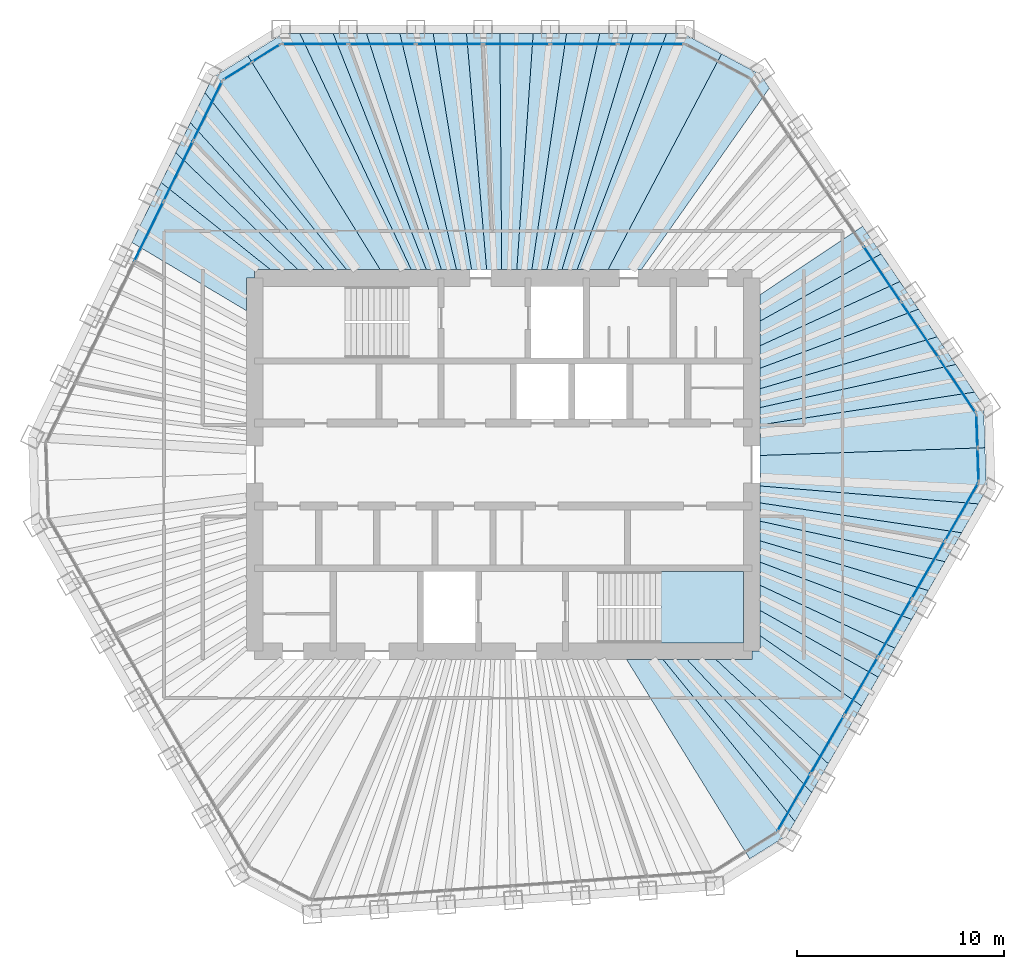
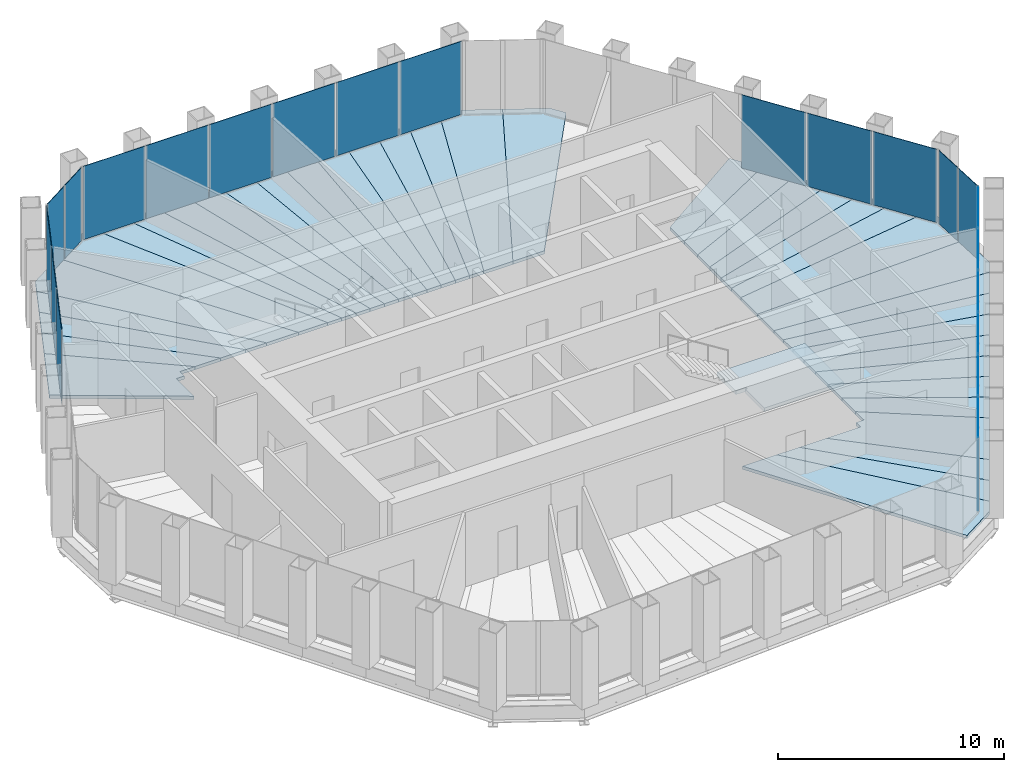
# One storey, part 10 of 14: 39 slabs, 22 plates, 7 elements without a shape of their own.
"""IFC4 building model written with IfcOpenShell, lengths in metres."""

from ifc_helpers import new_model, si_unit, direction, frame, origin, origin_2d, place, context, subcontext, project, spatial, polyline, rectangle, outline, extrude, material, layer, layer_set, type_object, element, aggregate, save


model = new_model("IFC4")

# Units and contexts
model_context = context("Model", 3, precision=1e-05, world=origin(), true_north=direction((0.0, 1.0)))
body_context = subcontext(model_context, "Body", "Model", "MODEL_VIEW")
ifc_project = project(units=[si_unit("LENGTHUNIT", "METRE"), si_unit("AREAUNIT", "SQUARE_METRE"), si_unit("VOLUMEUNIT", "CUBIC_METRE"), si_unit("PLANEANGLEUNIT", "RADIAN"), si_unit("MASSUNIT", "GRAM", prefix="KILO")], contexts=[model_context])

# Site, building, storey
site_placement = place(None, origin())
site = spatial("IfcSite", under=ifc_project, at=site_placement, CompositionType="ELEMENT")
building_placement = place(site_placement, origin())
building = spatial("IfcBuilding", under=site, at=building_placement, Name="Qingtian Harvest Tower", CompositionType="ELEMENT")
storey_placement = place(building_placement, frame((0.0, 0.0, 308.199951171875)))
storey = spatial("IfcBuildingStorey", under=building, at=storey_placement, Name="L68", CompositionType="ELEMENT", Elevation=308.199951171875)

# Slabs
ifc_material_1 = material(Name="Concrete fc' 35 MPa", Category="concrete")
ifc_layer_1 = layer(ifc_material_1, 0.169921875)
ifc_layer_set_1 = layer_set([ifc_layer_1], Name="Composite floor slab FS17 170")
slab_type_1 = type_object("IfcSlabType", Name="Composite floor slab FS17 170", PredefinedType="FLOOR", material=ifc_layer_set_1)
slab_1_placement = place(storey_placement, frame((0.0, 0.0, -0.169921875)))
element("IfcSlab", 1, at=slab_1_placement, inside=storey, type_object=slab_type_1, Name="Floor slab L68 panel D27", PredefinedType="FLOOR", context=body_context, shape_type="SweptSolid", body=[
    extrude(outline(polyline([(5.945556640625, -9.39990234375), (7.703125, -9.39990234375), (14.077880859375, -17.2265625), (13.6865234375, -17.904296875), (11.890380859375, -19.026611328125), (5.945556640625, -9.39990234375)])), origin(), (0.0, 0.0, 1.0), 0.169921875),
])
slab_2_placement = place(storey_placement, frame((0.0, 0.0, -0.169921875)))
element("IfcSlab", 2, at=slab_2_placement, inside=storey, type_object=slab_type_1, Name="Floor slab L68 panel D28", PredefinedType="FLOOR", context=body_context, shape_type="SweptSolid", body=[
    extrude(outline(polyline([(8.86279296875, -9.39990234375), (14.88232421875, -15.8330078125), (14.077880859375, -17.2265625), (7.703125, -9.39990234375), (8.86279296875, -9.39990234375)])), origin(), (0.0, 0.0, 1.0), 0.169921875),
])
slab_3_placement = place(storey_placement, frame((0.0, 0.0, -0.169921875)))
element("IfcSlab", 3, at=slab_3_placement, inside=storey, type_object=slab_type_1, Name="Floor slab L68 panel D29", PredefinedType="FLOOR", context=body_context, shape_type="SweptSolid", body=[
    extrude(outline(polyline([(10.248046875, -9.39990234375), (15.68701171875, -14.439453125), (14.88232421875, -15.8330078125), (8.86279296875, -9.39990234375), (10.248046875, -9.39990234375)])), origin(), (0.0, 0.0, 1.0), 0.169921875),
])
slab_4_placement = place(storey_placement, frame((0.0, 0.0, -0.169921875)))
element("IfcSlab", 4, at=slab_4_placement, inside=storey, type_object=slab_type_1, Name="Floor slab L68 panel D31", PredefinedType="FLOOR", context=body_context, shape_type="SweptSolid", body=[
    extrude(outline(polyline([(12.39990234375, -8.263427734375), (17.296630859375, -11.651123046875), (15.68701171875, -14.439453125), (10.248046875, -9.39990234375), (12.0, -9.39990234375), (12.0, -9.0), (12.39990234375, -9.0), (12.39990234375, -8.263427734375)])), origin(), (0.0, 0.0, 1.0), 0.169921875),
])
slab_5_placement = place(storey_placement, frame((0.0, 0.0, -0.169921875)))
element("IfcSlab", 5, at=slab_5_placement, inside=storey, type_object=slab_type_1, Name="Floor slab L68 panel D32", PredefinedType="FLOOR", context=body_context, shape_type="SweptSolid", body=[
    extrude(outline(polyline([(12.39990234375, -7.04296875), (18.099853515625, -10.26025390625), (17.296630859375, -11.651123046875), (12.39990234375, -8.263427734375), (12.39990234375, -7.04296875)])), origin(), (0.0, 0.0, 1.0), 0.169921875),
])
slab_6_placement = place(storey_placement, frame((0.0, 0.0, -0.169921875)))
element("IfcSlab", 6, at=slab_6_placement, inside=storey, type_object=slab_type_1, Name="Floor slab L68 panel D33", PredefinedType="FLOOR", context=body_context, shape_type="SweptSolid", body=[
    extrude(outline(polyline([(12.39990234375, -5.828125), (18.904296875, -8.86669921875), (18.099853515625, -10.26025390625), (12.39990234375, -7.04296875), (12.39990234375, -5.828125)])), origin(), (0.0, 0.0, 1.0), 0.169921875),
])
slab_7_placement = place(storey_placement, frame((0.0, 0.0, -0.169921875)))
element("IfcSlab", 7, at=slab_7_placement, inside=storey, type_object=slab_type_1, Name="Floor slab L68 panel D34", PredefinedType="FLOOR", context=body_context, shape_type="SweptSolid", body=[
    extrude(outline(polyline([(12.39990234375, -4.712646484375), (19.708740234375, -7.473388671875), (18.904296875, -8.86669921875), (12.39990234375, -5.828125), (12.39990234375, -4.712646484375)])), origin(), (0.0, 0.0, 1.0), 0.169921875),
])
slab_8_placement = place(storey_placement, frame((0.0, 0.0, -0.169921875)))
element("IfcSlab", 8, at=slab_8_placement, inside=storey, type_object=slab_type_1, Name="Floor slab L68 panel D35", PredefinedType="FLOOR", context=body_context, shape_type="SweptSolid", body=[
    extrude(outline(polyline([(12.39990234375, -3.684814453125), (20.51318359375, -6.080078125), (19.708740234375, -7.473388671875), (12.39990234375, -4.712646484375), (12.39990234375, -3.684814453125)])), origin(), (0.0, 0.0, 1.0), 0.169921875),
])
slab_9_placement = place(storey_placement, frame((0.0, 0.0, -0.169921875)))
element("IfcSlab", 9, at=slab_9_placement, inside=storey, type_object=slab_type_1, Name="Floor slab L68 panel D36", PredefinedType="FLOOR", context=body_context, shape_type="SweptSolid", body=[
    extrude(outline(polyline([(12.39990234375, -2.734619140625), (21.317626953125, -4.6865234375), (20.51318359375, -6.080078125), (12.39990234375, -3.684814453125), (12.39990234375, -2.734619140625)])), origin(), (0.0, 0.0, 1.0), 0.169921875),
])
slab_10_placement = place(storey_placement, frame((0.0, 0.0, -0.169921875)))
element("IfcSlab", 10, at=slab_10_placement, inside=storey, type_object=slab_type_1, Name="Floor slab L68 panel D37", PredefinedType="FLOOR", context=body_context, shape_type="SweptSolid", body=[
    extrude(outline(polyline([(12.39990234375, -1.853515625), (22.122314453125, -3.293212890625), (21.317626953125, -4.6865234375), (12.39990234375, -2.734619140625), (12.39990234375, -1.853515625)])), origin(), (0.0, 0.0, 1.0), 0.169921875),
])
slab_11_placement = place(storey_placement, frame((0.0, 0.0, -0.169921875)))
element("IfcSlab", 11, at=slab_11_placement, inside=storey, type_object=slab_type_1, Name="Floor slab L68 panel D38", PredefinedType="FLOOR", context=body_context, shape_type="SweptSolid", body=[
    extrude(outline(polyline([(12.39990234375, -1.034423828125), (22.9267578125, -1.89990234375), (22.122314453125, -3.293212890625), (12.39990234375, -1.853515625), (12.39990234375, -1.034423828125)])), origin(), (0.0, 0.0, 1.0), 0.169921875),
])
slab_12_placement = place(storey_placement, frame((0.0, 0.0, -0.169921875)))
element("IfcSlab", 12, at=slab_12_placement, inside=storey, type_object=slab_type_1, Name="Floor slab L68 panel D39", PredefinedType="FLOOR", context=body_context, shape_type="SweptSolid", body=[
    extrude(outline(polyline([(12.39990234375, -1.034423828125), (12.39990234375, 0.436279296875), (23.246826171875, 0.811767578125), (23.31787109375, -1.22216796875), (22.9267578125, -1.89990234375), (12.39990234375, -1.034423828125)])), origin(), (0.0, 0.0, 1.0), 0.169921875),
])
slab_13_placement = place(storey_placement, frame((0.0, 0.0, -0.169921875)))
element("IfcSlab", 13, at=slab_13_placement, inside=storey, type_object=slab_type_1, Name="Floor slab L68 panel D40", PredefinedType="FLOOR", context=body_context, shape_type="SweptSolid", body=[
    extrude(outline(polyline([(12.39990234375, 0.436279296875), (12.39990234375, 1.91357421875), (22.73828125, 3.494384765625), (23.17578125, 2.845947265625), (23.246826171875, 0.811767578125), (12.39990234375, 0.436279296875)])), origin(), (0.0, 0.0, 1.0), 0.169921875),
])
slab_14_placement = place(storey_placement, frame((0.0, 0.0, -0.169921875)))
element("IfcSlab", 14, at=slab_14_placement, inside=storey, type_object=slab_type_1, Name="Floor slab L68 panel D41", PredefinedType="FLOOR", context=body_context, shape_type="SweptSolid", body=[
    extrude(outline(polyline([(12.39990234375, 2.75048828125), (21.838623046875, 4.828369140625), (22.73828125, 3.494384765625), (12.39990234375, 1.91357421875), (12.39990234375, 2.75048828125)])), origin(), (0.0, 0.0, 1.0), 0.169921875),
])
slab_15_placement = place(storey_placement, frame((0.0, 0.0, -0.169921875)))
element("IfcSlab", 15, at=slab_15_placement, inside=storey, type_object=slab_type_1, Name="Floor slab L68 panel D42", PredefinedType="FLOOR", context=body_context, shape_type="SweptSolid", body=[
    extrude(outline(polyline([(12.39990234375, 3.659423828125), (20.93896484375, 6.162353515625), (21.838623046875, 4.828369140625), (12.39990234375, 2.75048828125), (12.39990234375, 3.659423828125)])), origin(), (0.0, 0.0, 1.0), 0.169921875),
])
slab_16_placement = place(storey_placement, frame((0.0, 0.0, -0.169921875)))
element("IfcSlab", 16, at=slab_16_placement, inside=storey, type_object=slab_type_1, Name="Floor slab L68 panel D43", PredefinedType="FLOOR", context=body_context, shape_type="SweptSolid", body=[
    extrude(outline(polyline([(12.39990234375, 4.64990234375), (20.0390625, 7.49609375), (20.93896484375, 6.162353515625), (12.39990234375, 3.659423828125), (12.39990234375, 4.64990234375)])), origin(), (0.0, 0.0, 1.0), 0.169921875),
])
slab_17_placement = place(storey_placement, frame((0.0, 0.0, -0.169921875)))
element("IfcSlab", 17, at=slab_17_placement, inside=storey, type_object=slab_type_1, Name="Floor slab L68 panel D44", PredefinedType="FLOOR", context=body_context, shape_type="SweptSolid", body=[
    extrude(outline(polyline([(12.39990234375, 5.73388671875), (19.139404296875, 8.830078125), (20.0390625, 7.49609375), (12.39990234375, 4.64990234375), (12.39990234375, 5.73388671875)])), origin(), (0.0, 0.0, 1.0), 0.169921875),
])
slab_18_placement = place(storey_placement, frame((0.0, 0.0, -0.169921875)))
element("IfcSlab", 18, at=slab_18_placement, inside=storey, type_object=slab_type_1, Name="Floor slab L68 panel D45", PredefinedType="FLOOR", context=body_context, shape_type="SweptSolid", body=[
    extrude(outline(polyline([(12.39990234375, 6.925048828125), (18.23974609375, 10.1640625), (19.139404296875, 8.830078125), (12.39990234375, 5.73388671875), (12.39990234375, 6.925048828125)])), origin(), (0.0, 0.0, 1.0), 0.169921875),
])
slab_19_placement = place(storey_placement, frame((0.0, 0.0, -0.169921875)))
element("IfcSlab", 19, at=slab_19_placement, inside=storey, type_object=slab_type_1, Name="Floor slab L68 panel D46", PredefinedType="FLOOR", context=body_context, shape_type="SweptSolid", body=[
    extrude(outline(polyline([(12.39990234375, 8.199462890625), (17.340576171875, 11.4970703125), (18.23974609375, 10.1640625), (12.39990234375, 6.925048828125), (12.39990234375, 8.199462890625)])), origin(), (0.0, 0.0, 1.0), 0.169921875),
])
slab_20_placement = place(storey_placement, frame((0.0, 0.0, -0.169921875)))
element("IfcSlab", 20, at=slab_20_placement, inside=storey, type_object=slab_type_1, Name="Floor slab L68 panel D52", PredefinedType="FLOOR", context=body_context, shape_type="SweptSolid", body=[
    extrude(outline(polyline([(6.662109375, 9.39990234375), (5.05419921875, 9.39990234375), (10.533935546875, 19.809814453125), (12.404296875, 18.8154296875), (12.841796875, 18.16650390625), (6.662109375, 9.39990234375)])), origin(), (0.0, 0.0, 1.0), 0.169921875),
])
slab_21_placement = place(storey_placement, frame((0.0, 0.0, -0.169921875)))
element("IfcSlab", 21, at=slab_21_placement, inside=storey, type_object=slab_type_1, Name="Floor slab L68 panel D53", PredefinedType="FLOOR", context=body_context, shape_type="SweptSolid", body=[
    extrude(outline(polyline([(3.560302734375, 9.39990234375), (7.880126953125, 20.804931640625), (8.662109375, 20.804931640625), (10.533935546875, 19.809814453125), (5.05419921875, 9.39990234375), (3.560302734375, 9.39990234375)])), origin(), (0.0, 0.0, 1.0), 0.169921875),
])
slab_22_placement = place(storey_placement, frame((0.0, 0.0, -0.169921875)))
element("IfcSlab", 22, at=slab_22_placement, inside=storey, type_object=slab_type_1, Name="Floor slab L68 panel D54", PredefinedType="FLOOR", context=body_context, shape_type="SweptSolid", body=[
    extrude(outline(polyline([(2.833251953125, 9.39990234375), (6.27099609375, 20.804931640625), (7.880126953125, 20.804931640625), (3.560302734375, 9.39990234375), (2.833251953125, 9.39990234375)])), origin(), (0.0, 0.0, 1.0), 0.169921875),
])
slab_23_placement = place(storey_placement, frame((0.0, 0.0, -0.169921875)))
element("IfcSlab", 23, at=slab_23_placement, inside=storey, type_object=slab_type_1, Name="Floor slab L68 panel D55", PredefinedType="FLOOR", context=body_context, shape_type="SweptSolid", body=[
    extrude(outline(polyline([(2.1064453125, 9.39990234375), (4.662109375, 20.804931640625), (6.27099609375, 20.804931640625), (2.833251953125, 9.39990234375), (2.1064453125, 9.39990234375)])), origin(), (0.0, 0.0, 1.0), 0.169921875),
])
slab_24_placement = place(storey_placement, frame((0.0, 0.0, -0.169921875)))
element("IfcSlab", 24, at=slab_24_placement, inside=storey, type_object=slab_type_1, Name="Floor slab L68 panel D56", PredefinedType="FLOOR", context=body_context, shape_type="SweptSolid", body=[
    extrude(outline(polyline([(1.37939453125, 9.39990234375), (3.05322265625, 20.804931640625), (4.662109375, 20.804931640625), (2.1064453125, 9.39990234375), (1.37939453125, 9.39990234375)])), origin(), (0.0, 0.0, 1.0), 0.169921875),
])
slab_25_placement = place(storey_placement, frame((0.0, 0.0, -0.169921875)))
element("IfcSlab", 25, at=slab_25_placement, inside=storey, type_object=slab_type_1, Name="Floor slab L68 panel D57", PredefinedType="FLOOR", context=body_context, shape_type="SweptSolid", body=[
    extrude(outline(polyline([(0.652587890625, 9.39990234375), (1.4443359375, 20.804931640625), (3.05322265625, 20.804931640625), (1.37939453125, 9.39990234375), (0.652587890625, 9.39990234375)])), origin(), (0.0, 0.0, 1.0), 0.169921875),
])
slab_26_placement = place(storey_placement, frame((0.0, 0.0, -0.169921875)))
element("IfcSlab", 26, at=slab_26_placement, inside=storey, type_object=slab_type_1, Name="Floor slab L68 panel D58", PredefinedType="FLOOR", context=body_context, shape_type="SweptSolid", body=[
    extrude(outline(polyline([(-0.074462890625, 9.39990234375), (-0.16455078125, 20.804931640625), (1.4443359375, 20.804931640625), (0.652587890625, 9.39990234375), (-0.074462890625, 9.39990234375)])), origin(), (0.0, 0.0, 1.0), 0.169921875),
])
slab_27_placement = place(storey_placement, frame((0.0, 0.0, -0.169921875)))
element("IfcSlab", 27, at=slab_27_placement, inside=storey, type_object=slab_type_1, Name="Floor slab L68 panel D59", PredefinedType="FLOOR", context=body_context, shape_type="SweptSolid", body=[
    extrude(outline(polyline([(-0.80126953125, 9.39990234375), (-1.773681640625, 20.804931640625), (-0.16455078125, 20.804931640625), (-0.074462890625, 9.39990234375), (-0.80126953125, 9.39990234375)])), origin(), (0.0, 0.0, 1.0), 0.169921875),
])
slab_28_placement = place(storey_placement, frame((0.0, 0.0, -0.169921875)))
element("IfcSlab", 28, at=slab_28_placement, inside=storey, type_object=slab_type_1, Name="Floor slab L68 panel D60", PredefinedType="FLOOR", context=body_context, shape_type="SweptSolid", body=[
    extrude(outline(polyline([(-1.5283203125, 9.39990234375), (-3.382568359375, 20.804931640625), (-1.773681640625, 20.804931640625), (-0.80126953125, 9.39990234375), (-1.5283203125, 9.39990234375)])), origin(), (0.0, 0.0, 1.0), 0.169921875),
])
slab_29_placement = place(storey_placement, frame((0.0, 0.0, -0.169921875)))
element("IfcSlab", 29, at=slab_29_placement, inside=storey, type_object=slab_type_1, Name="Floor slab L68 panel D61", PredefinedType="FLOOR", context=body_context, shape_type="SweptSolid", body=[
    extrude(outline(polyline([(-2.255126953125, 9.39990234375), (-4.991455078125, 20.804931640625), (-3.382568359375, 20.804931640625), (-1.5283203125, 9.39990234375), (-2.255126953125, 9.39990234375)])), origin(), (0.0, 0.0, 1.0), 0.169921875),
])
slab_30_placement = place(storey_placement, frame((0.0, 0.0, -0.169921875)))
element("IfcSlab", 30, at=slab_30_placement, inside=storey, type_object=slab_type_1, Name="Floor slab L68 panel D62", PredefinedType="FLOOR", context=body_context, shape_type="SweptSolid", body=[
    extrude(outline(polyline([(-2.982177734375, 9.39990234375), (-6.600341796875, 20.804931640625), (-4.991455078125, 20.804931640625), (-2.255126953125, 9.39990234375), (-2.982177734375, 9.39990234375)])), origin(), (0.0, 0.0, 1.0), 0.169921875),
])
slab_31_placement = place(storey_placement, frame((0.0, 0.0, -0.169921875)))
element("IfcSlab", 31, at=slab_31_placement, inside=storey, type_object=slab_type_1, Name="Floor slab L68 panel D63", PredefinedType="FLOOR", context=body_context, shape_type="SweptSolid", body=[
    extrude(outline(polyline([(-3.708984375, 9.39990234375), (-8.209228515625, 20.804931640625), (-6.600341796875, 20.804931640625), (-2.982177734375, 9.39990234375), (-3.708984375, 9.39990234375)])), origin(), (0.0, 0.0, 1.0), 0.169921875),
])
slab_32_placement = place(storey_placement, frame((0.0, 0.0, -0.169921875)))
element("IfcSlab", 32, at=slab_32_placement, inside=storey, type_object=slab_type_1, Name="Floor slab L68 panel D64", PredefinedType="FLOOR", context=body_context, shape_type="SweptSolid", body=[
    extrude(outline(polyline([(-4.43603515625, 9.39990234375), (-9.818115234375, 20.804931640625), (-8.209228515625, 20.804931640625), (-3.708984375, 9.39990234375), (-4.43603515625, 9.39990234375)])), origin(), (0.0, 0.0, 1.0), 0.169921875),
])
slab_33_placement = place(storey_placement, frame((0.0, 0.0, -0.169921875)))
element("IfcSlab", 33, at=slab_33_placement, inside=storey, type_object=slab_type_1, Name="Floor slab L68 panel D65", PredefinedType="FLOOR", context=body_context, shape_type="SweptSolid", body=[
    extrude(outline(polyline([(-4.43603515625, 9.39990234375), (-5.935302734375, 9.39990234375), (-12.327392578125, 19.725830078125), (-10.600341796875, 20.804931640625), (-9.818115234375, 20.804931640625), (-4.43603515625, 9.39990234375)])), origin(), (0.0, 0.0, 1.0), 0.169921875),
])
slab_34_placement = place(storey_placement, frame((0.0, 0.0, -0.169921875)))
element("IfcSlab", 34, at=slab_34_placement, inside=storey, type_object=slab_type_1, Name="Floor slab L68 panel D66", PredefinedType="FLOOR", context=body_context, shape_type="SweptSolid", body=[
    extrude(outline(polyline([(-5.935302734375, 9.39990234375), (-7.560302734375, 9.39990234375), (-14.3955078125, 17.944580078125), (-14.052490234375, 18.64794921875), (-12.327392578125, 19.725830078125), (-5.935302734375, 9.39990234375)])), origin(), (0.0, 0.0, 1.0), 0.169921875),
])
slab_35_placement = place(storey_placement, frame((0.0, 0.0, -0.169921875)))
element("IfcSlab", 35, at=slab_35_placement, inside=storey, type_object=slab_type_1, Name="Floor slab L68 panel D67", PredefinedType="FLOOR", context=body_context, shape_type="SweptSolid", body=[
    extrude(outline(polyline([(-8.62890625, 9.39990234375), (-15.100830078125, 16.498291015625), (-14.3955078125, 17.944580078125), (-7.560302734375, 9.39990234375), (-8.62890625, 9.39990234375)])), origin(), (0.0, 0.0, 1.0), 0.169921875),
])
slab_36_placement = place(storey_placement, frame((0.0, 0.0, -0.169921875)))
element("IfcSlab", 36, at=slab_36_placement, inside=storey, type_object=slab_type_1, Name="Floor slab L68 panel D68", PredefinedType="FLOOR", context=body_context, shape_type="SweptSolid", body=[
    extrude(outline(polyline([(-9.90380859375, 9.39990234375), (-15.80615234375, 15.05224609375), (-15.100830078125, 16.498291015625), (-8.62890625, 9.39990234375), (-9.90380859375, 9.39990234375)])), origin(), (0.0, 0.0, 1.0), 0.169921875),
])
slab_37_placement = place(storey_placement, frame((0.0, 0.0, -0.169921875)))
element("IfcSlab", 37, at=slab_37_placement, inside=storey, type_object=slab_type_1, Name="Floor slab L68 panel D69", PredefinedType="FLOOR", context=body_context, shape_type="SweptSolid", body=[
    extrude(outline(polyline([(-11.224853515625, 9.39990234375), (-16.509765625, 13.609619140625), (-15.80615234375, 15.05224609375), (-9.90380859375, 9.39990234375), (-11.224853515625, 9.39990234375)])), origin(), (0.0, 0.0, 1.0), 0.169921875),
])
slab_38_placement = place(storey_placement, frame((0.0, 0.0, -0.169921875)))
element("IfcSlab", 38, at=slab_38_placement, inside=storey, type_object=slab_type_1, Name="Floor slab L68 panel D70", PredefinedType="FLOOR", context=body_context, shape_type="SweptSolid", body=[
    extrude(outline(polyline([(-12.0, 9.0), (-12.39990234375, 9.0), (-12.39990234375, 7.42578125), (-17.921875, 10.714599609375), (-16.509765625, 13.609619140625), (-11.224853515625, 9.39990234375), (-12.0, 9.39990234375), (-12.0, 9.0)])), origin(), (0.0, 0.0, 1.0), 0.169921875),
])

# Curtain wall, plates
ifc_material_2 = material(Name="Bronze-anodised aluminium curtain wall", Category="aluminium")
curtain_wall_type = type_object("IfcCurtainWallType", Name="Curtain wall CW5 upper office", PredefinedType="USERDEFINED", material=ifc_material_2)
curtain_wall_1_placement = place(storey_placement, origin())
curtain_wall_1 = element("IfcCurtainWall", 39, at=curtain_wall_1_placement, inside=storey, type_object=curtain_wall_type, Name="Curtain wall CW5 L68 N0-5", ObjectType="RECESSED CURTAIN WALL", PredefinedType="USERDEFINED")
ifc_material_3 = material(Name="Bronze-tinted laminated insulating glass", Category="glass")
ifc_layer_2 = layer(ifc_material_3, 0.030029296875)
ifc_layer_set_2 = layer_set([ifc_layer_2], Name="Glazed panel CWP tinted IGU")
plate_type = type_object("IfcPlateType", Name="Glazed panel CWP tinted IGU", PredefinedType="CURTAIN_PANEL", material=ifc_layer_set_2)
plate_1_placement = place(storey_placement, frame((-9.08203125, 20.300048828125, 0.06494140625), z_axis=(0.0, 0.0, 1.0), x_axis=(1.0, 0.0, 0.0)))
plate_1 = element("IfcPlate", 40, at=plate_1_placement, type_object=plate_type, Name="CW5 panel 1.1", PredefinedType="CURTAIN_PANEL", context=body_context, shape_type="SweptSolid", body=[
    extrude(rectangle(XDim=3.150634765625, YDim=0.030029296875, at=origin_2d()), origin(), (0.0, 0.0, 1.0), 3.965087890625),
])
plate_2_placement = place(storey_placement, frame((-5.85009765625, 20.300048828125, 0.06494140625), z_axis=(0.0, 0.0, 1.0), x_axis=(1.0, 0.0, 0.0)))
plate_2 = element("IfcPlate", 41, at=plate_2_placement, type_object=plate_type, Name="CW5 panel 2.1", PredefinedType="CURTAIN_PANEL", context=body_context, shape_type="SweptSolid", body=[
    extrude(rectangle(XDim=3.18310546875, YDim=0.030029296875, at=origin_2d()), origin(), (0.0, 0.0, 1.0), 3.965087890625),
])
plate_3_placement = place(storey_placement, frame((-2.602294921875, 20.300048828125, 0.06494140625), z_axis=(0.0, 0.0, 1.0), x_axis=(1.0, 0.0, 0.0)))
plate_3 = element("IfcPlate", 42, at=plate_3_placement, type_object=plate_type, Name="CW5 panel 3.1", PredefinedType="CURTAIN_PANEL", context=body_context, shape_type="SweptSolid", body=[
    extrude(rectangle(XDim=3.18310546875, YDim=0.030029296875, at=origin_2d()), origin(), (0.0, 0.0, 1.0), 3.965087890625),
])
plate_4_placement = place(storey_placement, frame((0.645751953125, 20.300048828125, 0.06494140625), z_axis=(0.0, 0.0, 1.0), x_axis=(1.0, 0.0, 0.0)))
plate_4 = element("IfcPlate", 43, at=plate_4_placement, type_object=plate_type, Name="CW5 panel 4.1", PredefinedType="CURTAIN_PANEL", context=body_context, shape_type="SweptSolid", body=[
    extrude(rectangle(XDim=3.18310546875, YDim=0.030029296875, at=origin_2d()), origin(), (0.0, 0.0, 1.0), 3.965087890625),
])
plate_5_placement = place(storey_placement, frame((3.893798828125, 20.300048828125, 0.06494140625), z_axis=(0.0, 0.0, 1.0), x_axis=(1.0, 0.0, 0.0)))
plate_5 = element("IfcPlate", 44, at=plate_5_placement, type_object=plate_type, Name="CW5 panel 5.1", PredefinedType="CURTAIN_PANEL", context=body_context, shape_type="SweptSolid", body=[
    extrude(rectangle(XDim=3.18310546875, YDim=0.030029296875, at=origin_2d()), origin(), (0.0, 0.0, 1.0), 3.965087890625),
])
plate_6_placement = place(storey_placement, frame((7.125732421875, 20.300048828125, 0.06494140625), z_axis=(0.0, 0.0, 1.0), x_axis=(1.0, 0.0, 0.0)))
plate_6 = element("IfcPlate", 45, at=plate_6_placement, type_object=plate_type, Name="CW5 panel 6.1", PredefinedType="CURTAIN_PANEL", context=body_context, shape_type="SweptSolid", body=[
    extrude(rectangle(XDim=3.150634765625, YDim=0.030029296875, at=origin_2d()), origin(), (0.0, 0.0, 1.0), 3.965087890625),
])
aggregate(curtain_wall_1, [plate_1, plate_2, plate_3, plate_4, plate_5, plate_6])

curtain_wall_2_placement = place(storey_placement, origin())
curtain_wall_2 = element("IfcCurtainWall", 46, at=curtain_wall_2_placement, inside=storey, type_object=curtain_wall_type, Name="Curtain wall CW5 L68 NE0-5", ObjectType="RECESSED CURTAIN WALL", PredefinedType="USERDEFINED")
plate_7_placement = place(storey_placement, frame((18.28466796875, 9.1943359375, 0.06494140625), z_axis=(0.0, 0.0, 1.0), x_axis=(0.559192903471, -0.829037572555, 0.0)))
plate_7 = element("IfcPlate", 47, at=plate_7_placement, type_object=plate_type, Name="CW5 panel 4.1", PredefinedType="CURTAIN_PANEL", context=body_context, shape_type="SweptSolid", body=[
    extrude(rectangle(XDim=3.18310546875, YDim=0.030029296875, at=origin_2d()), origin(), (0.0, 0.0, 1.0), 3.965087890625),
])
plate_8_placement = place(storey_placement, frame((20.100830078125, 6.50146484375, 0.06494140625), z_axis=(0.0, 0.0, 1.0), x_axis=(0.559192903471, -0.829037572555, 0.0)))
plate_8 = element("IfcPlate", 48, at=plate_8_placement, type_object=plate_type, Name="CW5 panel 5.1", PredefinedType="CURTAIN_PANEL", context=body_context, shape_type="SweptSolid", body=[
    extrude(rectangle(XDim=3.18310546875, YDim=0.030029296875, at=origin_2d()), origin(), (0.0, 0.0, 1.0), 3.965087890625),
])
plate_9_placement = place(storey_placement, frame((21.907958984375, 3.822265625, 0.06494140625), z_axis=(0.0, 0.0, 1.0), x_axis=(0.559192903471, -0.829037572555, 0.0)))
plate_9 = element("IfcPlate", 49, at=plate_9_placement, type_object=plate_type, Name="CW5 panel 6.1", PredefinedType="CURTAIN_PANEL", context=body_context, shape_type="SweptSolid", body=[
    extrude(rectangle(XDim=3.150634765625, YDim=0.030029296875, at=origin_2d()), origin(), (0.0, 0.0, 1.0), 3.965087890625),
])
aggregate(curtain_wall_2, [plate_7, plate_8, plate_9])

curtain_wall_3_placement = place(storey_placement, origin())
curtain_wall_3 = element("IfcCurtainWall", 50, at=curtain_wall_3_placement, inside=storey, type_object=curtain_wall_type, Name="Curtain wall CW5 L68 NEC", ObjectType="RECESSED CURTAIN WALL", PredefinedType="USERDEFINED")
plate_10_placement = place(storey_placement, frame((22.85498046875, 1.614501953125, 0.06494140625), z_axis=(0.0, 0.0, 1.0), x_axis=(0.034899496703, -0.999390827019, 0.0)))
plate_10 = element("IfcPlate", 51, at=plate_10_placement, type_object=plate_type, Name="CW5 panel 1.1", PredefinedType="CURTAIN_PANEL", context=body_context, shape_type="SweptSolid", body=[
    extrude(rectangle(XDim=1.56689453125, YDim=0.030029296875, at=origin_2d()), origin(), (0.0, 0.0, 1.0), 3.965087890625),
])
plate_11_placement = place(storey_placement, frame((22.911865234375, -0.016357421875, 0.06494140625), z_axis=(0.0, 0.0, 1.0), x_axis=(0.034899496703, -0.999390827019, 0.0)))
plate_11 = element("IfcPlate", 52, at=plate_11_placement, type_object=plate_type, Name="CW5 panel 2.1", PredefinedType="CURTAIN_PANEL", context=body_context, shape_type="SweptSolid", body=[
    extrude(rectangle(XDim=1.56689453125, YDim=0.030029296875, at=origin_2d()), origin(), (0.0, 0.0, 1.0), 3.965087890625),
])
aggregate(curtain_wall_3, [plate_10, plate_11])

curtain_wall_4_placement = place(storey_placement, origin())
curtain_wall_4 = element("IfcCurtainWall", 53, at=curtain_wall_4_placement, inside=storey, type_object=curtain_wall_type, Name="Curtain wall CW5 L68 SE0-5", ObjectType="RECESSED CURTAIN WALL", PredefinedType="USERDEFINED")
plate_12_placement = place(storey_placement, frame((22.121337890625, -2.28466796875, 0.06494140625), z_axis=(0.0, 0.0, 1.0), x_axis=(-0.5, -0.866025403784, 0.0)))
plate_12 = element("IfcPlate", 54, at=plate_12_placement, type_object=plate_type, Name="CW5 panel 1.1", PredefinedType="CURTAIN_PANEL", context=body_context, shape_type="SweptSolid", body=[
    extrude(rectangle(XDim=3.150634765625, YDim=0.030029296875, at=origin_2d()), origin(), (0.0, 0.0, 1.0), 3.965087890625),
])
plate_13_placement = place(storey_placement, frame((20.50537109375, -5.08349609375, 0.06494140625), z_axis=(0.0, 0.0, 1.0), x_axis=(-0.5, -0.866025403784, 0.0)))
plate_13 = element("IfcPlate", 55, at=plate_13_placement, type_object=plate_type, Name="CW5 panel 2.1", PredefinedType="CURTAIN_PANEL", context=body_context, shape_type="SweptSolid", body=[
    extrude(rectangle(XDim=3.18310546875, YDim=0.030029296875, at=origin_2d()), origin(), (0.0, 0.0, 1.0), 3.965087890625),
])
plate_14_placement = place(storey_placement, frame((18.88134765625, -7.896484375, 0.06494140625), z_axis=(0.0, 0.0, 1.0), x_axis=(-0.5, -0.866025403784, 0.0)))
plate_14 = element("IfcPlate", 56, at=plate_14_placement, type_object=plate_type, Name="CW5 panel 3.1", PredefinedType="CURTAIN_PANEL", context=body_context, shape_type="SweptSolid", body=[
    extrude(rectangle(XDim=3.18310546875, YDim=0.030029296875, at=origin_2d()), origin(), (0.0, 0.0, 1.0), 3.965087890625),
])
plate_15_placement = place(storey_placement, frame((17.25732421875, -10.709228515625, 0.06494140625), z_axis=(0.0, 0.0, 1.0), x_axis=(-0.5, -0.866025403784, 0.0)))
plate_15 = element("IfcPlate", 57, at=plate_15_placement, type_object=plate_type, Name="CW5 panel 4.1", PredefinedType="CURTAIN_PANEL", context=body_context, shape_type="SweptSolid", body=[
    extrude(rectangle(XDim=3.18310546875, YDim=0.030029296875, at=origin_2d()), origin(), (0.0, 0.0, 1.0), 3.965087890625),
])
plate_16_placement = place(storey_placement, frame((15.63330078125, -13.522216796875, 0.06494140625), z_axis=(0.0, 0.0, 1.0), x_axis=(-0.5, -0.866025403784, 0.0)))
plate_16 = element("IfcPlate", 58, at=plate_16_placement, type_object=plate_type, Name="CW5 panel 5.1", PredefinedType="CURTAIN_PANEL", context=body_context, shape_type="SweptSolid", body=[
    extrude(rectangle(XDim=3.18310546875, YDim=0.030029296875, at=origin_2d()), origin(), (0.0, 0.0, 1.0), 3.965087890625),
])
plate_17_placement = place(storey_placement, frame((14.017578125, -16.321044921875, 0.06494140625), z_axis=(0.0, 0.0, 1.0), x_axis=(-0.5, -0.866025403784, 0.0)))
plate_17 = element("IfcPlate", 59, at=plate_17_placement, type_object=plate_type, Name="CW5 panel 6.1", PredefinedType="CURTAIN_PANEL", context=body_context, shape_type="SweptSolid", body=[
    extrude(rectangle(XDim=3.150634765625, YDim=0.030029296875, at=origin_2d()), origin(), (0.0, 0.0, 1.0), 3.965087890625),
])
aggregate(curtain_wall_4, [plate_12, plate_13, plate_14, plate_15, plate_16, plate_17])

curtain_wall_5_placement = place(storey_placement, origin())
curtain_wall_5 = element("IfcCurtainWall", 60, at=curtain_wall_5_placement, inside=storey, type_object=curtain_wall_type, Name="Curtain wall CW5 L68 NW0-5", ObjectType="RECESSED CURTAIN WALL", PredefinedType="USERDEFINED")
plate_18_placement = place(storey_placement, frame((-17.104736328125, 11.23779296875, 0.06494140625), z_axis=(0.0, 0.0, 1.0), x_axis=(0.438371146789, 0.898794046299, 0.0)))
plate_18 = element("IfcPlate", 61, at=plate_18_placement, type_object=plate_type, Name="CW5 panel 4.1", PredefinedType="CURTAIN_PANEL", context=body_context, shape_type="SweptSolid", body=[
    extrude(rectangle(XDim=3.18310546875, YDim=0.030029296875, at=origin_2d()), origin(), (0.0, 0.0, 1.0), 3.965087890625),
])
plate_19_placement = place(storey_placement, frame((-15.680908203125, 14.156982421875, 0.06494140625), z_axis=(0.0, 0.0, 1.0), x_axis=(0.438371146789, 0.898794046299, 0.0)))
plate_19 = element("IfcPlate", 62, at=plate_19_placement, type_object=plate_type, Name="CW5 panel 5.1", PredefinedType="CURTAIN_PANEL", context=body_context, shape_type="SweptSolid", body=[
    extrude(rectangle(XDim=3.18310546875, YDim=0.030029296875, at=origin_2d()), origin(), (0.0, 0.0, 1.0), 3.965087890625),
])
plate_20_placement = place(storey_placement, frame((-14.26416015625, 17.061767578125, 0.06494140625), z_axis=(0.0, 0.0, 1.0), x_axis=(0.438371146789, 0.898794046299, 0.0)))
plate_20 = element("IfcPlate", 63, at=plate_20_placement, type_object=plate_type, Name="CW5 panel 6.1", PredefinedType="CURTAIN_PANEL", context=body_context, shape_type="SweptSolid", body=[
    extrude(rectangle(XDim=3.150634765625, YDim=0.030029296875, at=origin_2d()), origin(), (0.0, 0.0, 1.0), 3.965087890625),
])
aggregate(curtain_wall_5, [plate_18, plate_19, plate_20])

curtain_wall_6_placement = place(storey_placement, origin())
curtain_wall_6 = element("IfcCurtainWall", 64, at=curtain_wall_6_placement, inside=storey, type_object=curtain_wall_type, Name="Curtain wall CW5 L68 NWC", ObjectType="RECESSED CURTAIN WALL", PredefinedType="USERDEFINED")
plate_21_placement = place(storey_placement, frame((-12.82568359375, 18.985595703125, 0.06494140625), z_axis=(0.0, 0.0, 1.0), x_axis=(0.848048096156, 0.529919264233, 0.0)))
plate_21 = element("IfcPlate", 65, at=plate_21_placement, type_object=plate_type, Name="CW5 panel 1.1", PredefinedType="CURTAIN_PANEL", context=body_context, shape_type="SweptSolid", body=[
    extrude(rectangle(XDim=1.56689453125, YDim=0.030029296875, at=origin_2d()), origin(), (0.0, 0.0, 1.0), 3.965087890625),
])
plate_22_placement = place(storey_placement, frame((-11.441650390625, 19.850341796875, 0.06494140625), z_axis=(0.0, 0.0, 1.0), x_axis=(0.848048096156, 0.529919264233, 0.0)))
plate_22 = element("IfcPlate", 66, at=plate_22_placement, type_object=plate_type, Name="CW5 panel 2.1", PredefinedType="CURTAIN_PANEL", context=body_context, shape_type="SweptSolid", body=[
    extrude(rectangle(XDim=1.56689453125, YDim=0.030029296875, at=origin_2d()), origin(), (0.0, 0.0, 1.0), 3.965087890625),
])
aggregate(curtain_wall_6, [plate_21, plate_22])

# Stair, slab
ifc_material_4 = material(Name="Concrete fc' 35 MPa", Category="concrete")
stair_type = type_object("IfcStairType", Name="Special stair ST7 4200", PredefinedType="HALF_TURN_STAIR", material=ifc_material_4)
stair_placement = place(storey_placement, origin())
stair = element("IfcStair", 67, at=stair_placement, inside=storey, type_object=stair_type, Name="Special stair S2 L68", PredefinedType="HALF_TURN_STAIR")
ifc_material_5 = material(Name="Concrete fc' 35 MPa", Category="concrete")
ifc_layer_3 = layer(ifc_material_5, 0.199951171875)
ifc_layer_set_3 = layer_set([ifc_layer_3], Name="Stair landing SL2 200")
slab_type_2 = type_object("IfcSlabType", Name="Stair landing SL2 200", PredefinedType="LANDING", material=ifc_layer_set_3)
slab_39_placement = place(storey_placement, frame((0.0, 0.0, 1.900146484375)))
slab_39 = element("IfcSlab", 68, at=slab_39_placement, type_object=slab_type_2, Name="S2 landing 2", PredefinedType="LANDING", context=body_context, shape_type="SweptSolid", body=[
    extrude(outline(polyline([(7.530029296875, -8.60009765625), (7.530029296875, -6.925048828125), (7.6298828125, -6.925048828125), (7.6298828125, -6.824951171875), (7.094970703125, -6.824951171875), (7.094970703125, -5.14990234375), (11.60009765625, -5.14990234375), (11.60009765625, -8.60009765625), (7.530029296875, -8.60009765625)])), origin(), (0.0, 0.0, 1.0), 0.199951171875),
])
aggregate(stair, [slab_39])

save(model, "model.ifc")
